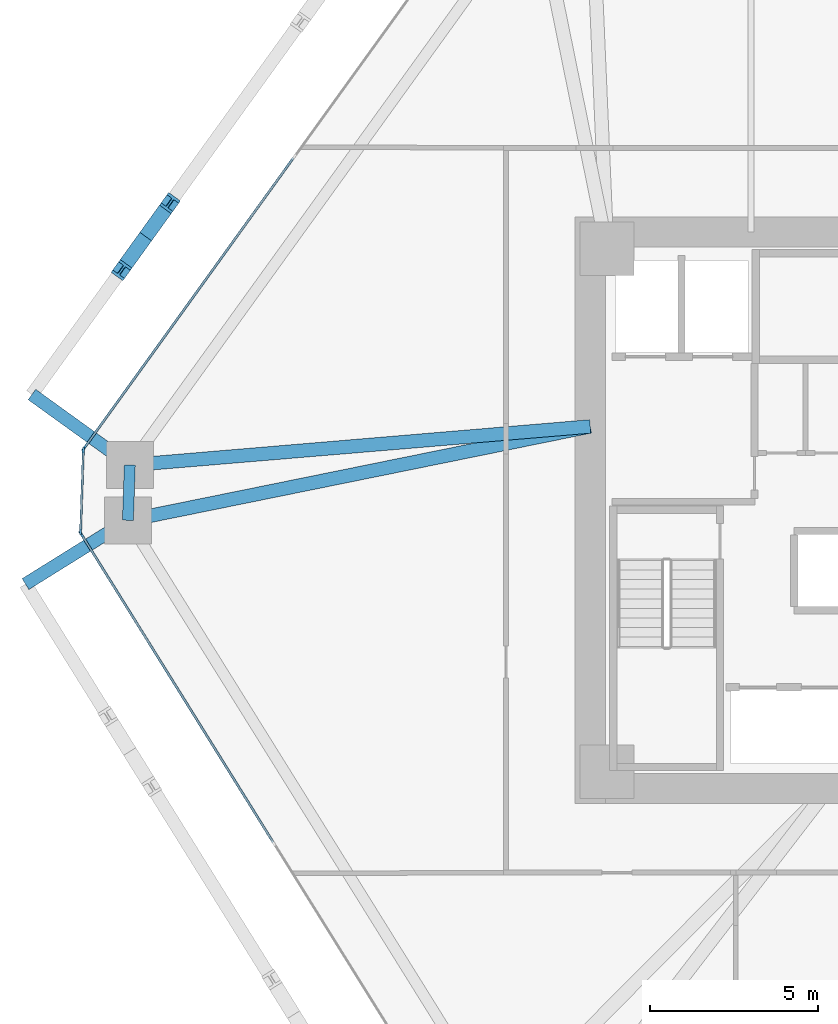
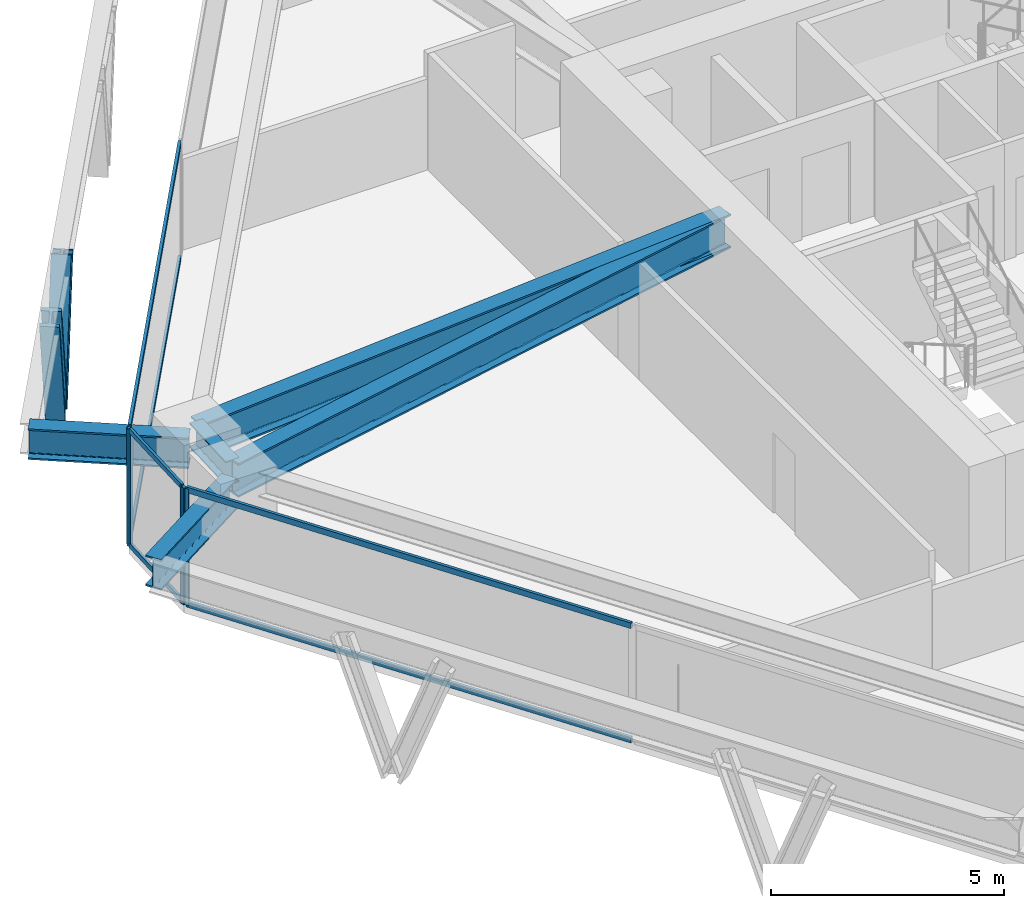
# One storey, part 4 of 14: 12 members, 5 beams, 3 elements without a shape of their own.
"""IFC4 building model written with IfcOpenShell, lengths in metres."""

from ifc_helpers import new_model, si_unit, direction, frame, origin, origin_2d, place, context, subcontext, project, spatial, rectangle, i_section, extrude, source, transform, mapped, material, layer, layer_set, material_profile, profile_set, type_object, type_shapes, element, aggregate, save


model = new_model("IFC4")

# Units and contexts
model_context = context("Model", 3, precision=1e-05, world=origin(), true_north=direction((0.0, 1.0)))
body_context = subcontext(model_context, "Body", "Model", "MODEL_VIEW")
ifc_project = project(units=[si_unit("LENGTHUNIT", "METRE"), si_unit("AREAUNIT", "SQUARE_METRE"), si_unit("VOLUMEUNIT", "CUBIC_METRE"), si_unit("PLANEANGLEUNIT", "RADIAN"), si_unit("MASSUNIT", "GRAM", prefix="KILO")], contexts=[model_context])

# Site, building, storey
site_placement = place(None, origin())
site = spatial("IfcSite", under=ifc_project, at=site_placement, CompositionType="ELEMENT")
building_placement = place(site_placement, origin())
building = spatial("IfcBuilding", under=site, at=building_placement, Name="Durnholm Broadcast Tower", CompositionType="ELEMENT")
storey_placement = place(building_placement, frame((0.0, 0.0, 68.699951171875)))
storey = spatial("IfcBuildingStorey", under=building, at=storey_placement, Name="L17", CompositionType="ELEMENT", Elevation=68.699951171875)

# Beams
ifc_material_1 = material(Name="Steel ASTM A992 Grade 50", Category="steel")
ifc_material_profile_1 = material_profile(ifc_material_1, i_section(OverallWidth=0.3291015625, OverallDepth=0.635009765625, WebThickness=0.017822265625, FlangeThickness=0.031005859375, FilletRadius=0.02783203125, at=origin_2d()), Name="W24X162")
ifc_profile_set_1 = profile_set([ifc_material_profile_1], Name="Steel ASTM A992 Grade 50")
beam_type_1 = type_object("IfcBeamType", Name="STL-SP-W24X162", PredefinedType="SPANDREL", material=ifc_profile_set_1)
shared_shape_1 = source(origin(), body_context, "Body", "SweptSolid", [
    extrude(i_section(OverallWidth=0.3291015625, OverallDepth=0.635009765625, WebThickness=0.017822265625, FlangeThickness=0.031005859375, FilletRadius=0.02783203125, at=origin_2d()), origin(), (0.0, 0.0, 1.0), 1.648193359375),
])
type_shapes(beam_type_1, [shared_shape_1])
beam_1_placement = place(storey_placement, frame((-24.0908203125, -0.2998046875, 2.7275390625), z_axis=(0.033921477804, 0.999424501072, 0.0), x_axis=(-0.999424501072, 0.033921477804, 0.0)))
element("IfcBeam", 1, at=beam_1_placement, inside=storey, type_object=beam_type_1, Name="L17 perimeter spandrel girder 02", PredefinedType="SPANDREL", context=body_context, shape_type="MappedRepresentation", body=[
    mapped(shared_shape_1, transform((0.0, 0.0, 0.0), x_axis=(1.0, 0.0, 0.0), y_axis=(0.0, 1.0, 0.0), z_axis=(0.0, 0.0, 1.0), scale=1.0)),
])
ifc_material_profile_2 = material_profile(ifc_material_1, i_section(OverallWidth=0.404052734375, OverallDepth=0.885009765625, WebThickness=0.0244140625, FlangeThickness=0.0439453125, FilletRadius=0.03564453125, at=origin_2d()), Name="W33X291")
ifc_profile_set_2 = profile_set([ifc_material_profile_2], Name="Steel ASTM A992 Grade 50")
beam_type_2 = type_object("IfcBeamType", Name="STL-GR-W33X291", PredefinedType="USERDEFINED", material=ifc_profile_set_2)
shared_shape_2 = source(origin(), body_context, "Body", "SweptSolid", [
    extrude(i_section(OverallWidth=0.404052734375, OverallDepth=0.885009765625, WebThickness=0.0244140625, FlangeThickness=0.0439453125, FilletRadius=0.03564453125, at=origin_2d()), origin(), (0.0, 0.0, 1.0), 14.072021484375),
])
beam_2_placement = place(storey_placement, frame((-10.300048828125, 2.5, 2.6025390625), z_axis=(-0.980007356767, -0.198961254225, 0.0), x_axis=(0.198961254225, -0.980007356767, 0.0)))
element("IfcBeam", 2, at=beam_2_placement, inside=storey, type_object=beam_type_2, Name="L17 radial primary floor girder 02", ObjectType="GIRDER", PredefinedType="USERDEFINED", context=body_context, shape_type="MappedRepresentation", body=[
    mapped(shared_shape_2, transform((0.0, 0.0, 0.0), x_axis=(1.0, 0.0, 0.0), y_axis=(0.0, 1.0, 0.0), z_axis=(0.0, 0.0, 1.0), scale=1.0)),
])
shared_shape_3 = source(origin(), body_context, "Body", "SweptSolid", [
    extrude(i_section(OverallWidth=0.404052734375, OverallDepth=0.885009765625, WebThickness=0.0244140625, FlangeThickness=0.0439453125, FilletRadius=0.03564453125, at=origin_2d()), origin(), (0.0, 0.0, 1.0), 13.783203125),
])
type_shapes(beam_type_2, [shared_shape_2, shared_shape_3])
beam_3_placement = place(storey_placement, frame((-10.300048828125, 2.5, 2.6025390625), z_axis=(-0.996497460403, -0.083623031579, 0.0), x_axis=(0.083623031579, -0.996497460403, 0.0)))
element("IfcBeam", 3, at=beam_3_placement, inside=storey, type_object=beam_type_2, Name="L17 radial primary floor girder 03", ObjectType="GIRDER", PredefinedType="USERDEFINED", context=body_context, shape_type="MappedRepresentation", body=[
    mapped(shared_shape_3, transform((0.0, 0.0, 0.0), x_axis=(1.0, 0.0, 0.0), y_axis=(0.0, 1.0, 0.0), z_axis=(0.0, 0.0, 1.0), scale=1.0)),
])
ifc_material_profile_3 = material_profile(ifc_material_1, i_section(OverallWidth=0.385009765625, OverallDepth=0.802978515625, WebThickness=0.023681640625, FlangeThickness=0.0419921875, FilletRadius=0.032958984375, at=origin_2d()), Name="W30X261")
ifc_profile_set_3 = profile_set([ifc_material_profile_3], Name="Steel ASTM A992 Grade 50")
beam_type_3 = type_object("IfcBeamType", Name="BM-EXO-TIE", PredefinedType="USERDEFINED", material=ifc_profile_set_3)
shared_shape_4 = source(origin(), body_context, "Body", "SweptSolid", [
    extrude(i_section(OverallWidth=0.385009765625, OverallDepth=0.802978515625, WebThickness=0.023681640625, FlangeThickness=0.0419921875, FilletRadius=0.032958984375, at=origin_2d()), origin(), (0.0, 0.0, 1.0), 3.4560546875),
])
beam_4_placement = place(storey_placement, frame((-24.212890625, -0.375732421875, 2.30859375), z_axis=(-0.848874183218, -0.528594949906, 0.0), x_axis=(0.528594949906, -0.848874183218, 0.0)))
element("IfcBeam", 4, at=beam_4_placement, inside=storey, type_object=beam_type_3, Name="L17 exoskeleton stand-off tie bracket F6.1", ObjectType="GIRDER", PredefinedType="USERDEFINED", context=body_context, shape_type="MappedRepresentation", body=[
    mapped(shared_shape_4, transform((0.0, 0.0, 0.0), x_axis=(1.0, 0.0, 0.0), y_axis=(0.0, 1.0, 0.0), z_axis=(0.0, 0.0, 1.0), scale=1.0)),
])
shared_shape_5 = source(origin(), body_context, "Body", "SweptSolid", [
    extrude(i_section(OverallWidth=0.385009765625, OverallDepth=0.802978515625, WebThickness=0.023681640625, FlangeThickness=0.0419921875, FilletRadius=0.032958984375, at=origin_2d()), origin(), (0.0, 0.0, 1.0), 3.455810546875),
])
type_shapes(beam_type_3, [shared_shape_4, shared_shape_5])
beam_5_placement = place(storey_placement, frame((-24.15185546875, 1.431396484375, 2.30859375), z_axis=(-0.811133512552, 0.584861030344, 0.0), x_axis=(-0.584861030344, -0.811133512552, 0.0)))
element("IfcBeam", 5, at=beam_5_placement, inside=storey, type_object=beam_type_3, Name="L17 exoskeleton stand-off tie bracket F5.2", ObjectType="GIRDER", PredefinedType="USERDEFINED", context=body_context, shape_type="MappedRepresentation", body=[
    mapped(shared_shape_5, transform((0.0, 0.0, 0.0), x_axis=(1.0, 0.0, 0.0), y_axis=(0.0, 1.0, 0.0), z_axis=(0.0, 0.0, 1.0), scale=1.0)),
])

# Members
ifc_material_2 = material(Name="Steel ASTM A913 Grade 65", Category="steel")
ifc_material_profile_4 = material_profile(ifc_material_2, i_section(OverallWidth=0.43212890625, OverallDepth=0.497802734375, WebThickness=0.0556640625, FlangeThickness=0.0888671875, FilletRadius=0.030517578125, at=origin_2d()), Name="W14X500")
ifc_profile_set_4 = profile_set([ifc_material_profile_4], Name="Steel ASTM A913 Grade 65")
member_type_1 = type_object("IfcMemberType", Name="STL-DG-W14X500", PredefinedType="BRACE", material=ifc_profile_set_4)
shared_shape_6 = source(origin(), body_context, "Body", "SweptSolid", [
    extrude(i_section(OverallWidth=0.43212890625, OverallDepth=0.497802734375, WebThickness=0.0556640625, FlangeThickness=0.0888671875, FilletRadius=0.030517578125, at=origin_2d()), origin(), (0.0, 0.0, 1.0), 3.523193359375),
])
type_shapes(member_type_1, [shared_shape_6])
for number, where, z_axis, x_axis, name in (
    (6, (-23.5595703125, 8.16259765625, -0.991455078125), (0.204839138341, 0.284044529113, 0.93667477434), (-0.81109123444, 0.58491966065, 0.0), "L17 stand-off diagrid brace F5.D2.1"),
    (7, (-23.5595703125, 8.16259765625, -0.991455078125), (-0.20477274847, -0.284048560399, 0.936688068046), (0.811185111535, -0.584789461963, 0.0), "L17 stand-off diagrid brace F5.D2.2"),
):
    element("IfcMember", number, at=place(storey_placement, frame(where, z_axis=z_axis, x_axis=x_axis)), inside=storey, type_object=member_type_1, Name=name, PredefinedType="BRACE", context=body_context, shape_type="MappedRepresentation", body=[
        mapped(shared_shape_6, transform((0.0, 0.0, 0.0), x_axis=(1.0, 0.0, 0.0), y_axis=(0.0, 1.0, 0.0), z_axis=(0.0, 0.0, 1.0), scale=1.0)),
    ])

# Curtain wall, members
ifc_material_3 = material(Name="Aluminium and Solar Control IGU", Category="aluminium")
ifc_layer_1 = layer(ifc_material_3, 0.1650390625)
ifc_layer_set_1 = layer_set([ifc_layer_1], Name="Aluminium and Solar Control IGU")
curtain_wall_type_1 = type_object("IfcCurtainWallType", Name="CW-SYS-5", PredefinedType="NOTDEFINED", material=ifc_layer_set_1)
curtain_wall_1_placement = place(storey_placement, origin())
curtain_wall_1 = element("IfcCurtainWall", 8, at=curtain_wall_1_placement, inside=storey, type_object=curtain_wall_type_1, Name="L17 curtain wall CW-CORNER CW-L17-CRN-01", PredefinedType="NOTDEFINED")
ifc_material_4 = material(Name="Aluminium 6063-T6", Category="aluminium")
ifc_material_profile_5 = material_profile(ifc_material_4, rectangle(XDim=0.06494140625, YDim=0.1650390625, at=origin_2d()), Name="CWM65X165")
ifc_profile_set_5 = profile_set([ifc_material_profile_5], Name="Aluminium 6063-T6")
member_type_2 = type_object("IfcMemberType", Name="CW-SYS-5-MUL", PredefinedType="MULLION", material=ifc_profile_set_5)
shared_shape_7 = source(origin(), body_context, "Body", "SweptSolid", [
    extrude(rectangle(XDim=0.06494140625, YDim=0.1650390625, at=origin_2d()), origin(), (0.0, 0.0, 1.0), 3.06005859375),
])
type_shapes(member_type_2, [shared_shape_7])
member_1_placement = place(storey_placement, frame((-25.50341796875, -0.6455078125, 0.0), z_axis=(0.0, 0.0, 1.0), x_axis=(-0.999427277772, 0.033839569233, 0.0)))
member_1 = element("IfcMember", 9, at=member_1_placement, type_object=member_type_2, Name="CW-CORNER mullion 1", PredefinedType="MULLION", context=body_context, shape_type="MappedRepresentation", body=[
    mapped(shared_shape_7, transform((0.0, 0.0, 0.0), x_axis=(1.0, 0.0, 0.0), y_axis=(0.0, 1.0, 0.0), z_axis=(0.0, 0.0, 1.0), scale=1.0)),
])
member_2_placement = place(storey_placement, frame((-25.4208984375, 1.7880859375, 0.0), z_axis=(0.0, 0.0, 1.0), x_axis=(-0.999427277772, 0.033839569233, 0.0)))
member_2 = element("IfcMember", 10, at=member_2_placement, type_object=member_type_2, Name="CW-CORNER mullion 2", PredefinedType="MULLION", context=body_context, shape_type="MappedRepresentation", body=[
    mapped(shared_shape_7, transform((0.0, 0.0, 0.0), x_axis=(1.0, 0.0, 0.0), y_axis=(0.0, 1.0, 0.0), z_axis=(0.0, 0.0, 1.0), scale=1.0)),
])
ifc_material_profile_6 = material_profile(ifc_material_4, rectangle(XDim=0.06494140625, YDim=0.1298828125, at=origin_2d()), Name="CWT65X130")
ifc_profile_set_6 = profile_set([ifc_material_profile_6], Name="Aluminium 6063-T6")
member_type_3 = type_object("IfcMemberType", Name="CW-SYS-5-TRN", PredefinedType="USERDEFINED", material=ifc_profile_set_6)
shared_shape_8 = source(origin(), body_context, "Body", "SweptSolid", [
    extrude(rectangle(XDim=0.06494140625, YDim=0.1298828125, at=origin_2d()), origin(), (0.0, 0.0, 1.0), 2.3701171875),
])
type_shapes(member_type_3, [shared_shape_8])
member_3_placement = place(storey_placement, frame((-25.502197265625, -0.613037109375, 0.032470703125), z_axis=(0.033788158898, 0.999429017148, 0.0), x_axis=(-0.999429017148, 0.033788158898, 0.0)))
member_3 = element("IfcMember", 11, at=member_3_placement, type_object=member_type_3, Name="CW-CORNER transom 1.1", ObjectType="TRANSOM", PredefinedType="USERDEFINED", context=body_context, shape_type="MappedRepresentation", body=[
    mapped(shared_shape_8, transform((0.0, 0.0, 0.0), x_axis=(1.0, 0.0, 0.0), y_axis=(0.0, 1.0, 0.0), z_axis=(0.0, 0.0, 1.0), scale=1.0)),
])
member_4_placement = place(storey_placement, frame((-25.502197265625, -0.613037109375, 3.027587890625), z_axis=(0.033788158898, 0.999429017148, 0.0), x_axis=(-0.999429017148, 0.033788158898, 0.0)))
member_4 = element("IfcMember", 12, at=member_4_placement, type_object=member_type_3, Name="CW-CORNER transom 1.2", ObjectType="TRANSOM", PredefinedType="USERDEFINED", context=body_context, shape_type="MappedRepresentation", body=[
    mapped(shared_shape_8, transform((0.0, 0.0, 0.0), x_axis=(1.0, 0.0, 0.0), y_axis=(0.0, 1.0, 0.0), z_axis=(0.0, 0.0, 1.0), scale=1.0)),
])
aggregate(curtain_wall_1, [member_1, member_2, member_3, member_4])

# Curtain wall, member
ifc_layer_2 = layer(ifc_material_3, 0.18994140625)
ifc_layer_set_2 = layer_set([ifc_layer_2], Name="Aluminium and Solar Control IGU")
curtain_wall_type_2 = type_object("IfcCurtainWallType", Name="CW-SYS-3", PredefinedType="NOTDEFINED", material=ifc_layer_set_2)
curtain_wall_2_placement = place(storey_placement, origin())
curtain_wall_2 = element("IfcCurtainWall", 13, at=curtain_wall_2_placement, inside=storey, type_object=curtain_wall_type_2, Name="L17 curtain wall CW-Z12-VIS CW-L17-F02", PredefinedType="NOTDEFINED")
ifc_material_profile_7 = material_profile(ifc_material_4, rectangle(XDim=0.070068359375, YDim=0.18994140625, at=origin_2d()), Name="CWM70X190")
ifc_profile_set_7 = profile_set([ifc_material_profile_7], Name="Aluminium 6063-T6")
member_type_4 = type_object("IfcMemberType", Name="CW-SYS-3-MUL", PredefinedType="MULLION", material=ifc_profile_set_7)
shared_shape_9 = source(origin(), body_context, "Body", "SweptSolid", [
    extrude(rectangle(XDim=0.070068359375, YDim=0.18994140625, at=origin_2d()), origin(), (0.0, 0.0, 1.0), 3.06005859375),
])
type_shapes(member_type_4, [shared_shape_9])
member_5_placement = place(storey_placement, frame((-25.3994140625, 1.848876953125, 0.0), z_axis=(0.0, 0.0, 1.0), x_axis=(-0.81116057493, 0.584823496176, 0.0)))
member_5 = element("IfcMember", 14, at=member_5_placement, type_object=member_type_4, Name="CW-Z12-VIS mullion 1", PredefinedType="MULLION", context=body_context, shape_type="MappedRepresentation", body=[
    mapped(shared_shape_9, transform((0.0, 0.0, 0.0), x_axis=(1.0, 0.0, 0.0), y_axis=(0.0, 1.0, 0.0), z_axis=(0.0, 0.0, 1.0), scale=1.0)),
])

curtain_wall_3_placement = place(storey_placement, origin())
curtain_wall_3 = element("IfcCurtainWall", 15, at=curtain_wall_3_placement, inside=storey, type_object=curtain_wall_type_2, Name="L17 curtain wall CW-Z12-VIS CW-L17-F12", PredefinedType="NOTDEFINED")
member_6_placement = place(storey_placement, frame((-25.48583984375, -0.707763671875, 0.0), z_axis=(0.0, 0.0, 1.0), x_axis=(-0.848875785503, -0.528592376777, 0.0)))
member_6 = element("IfcMember", 16, at=member_6_placement, type_object=member_type_4, Name="CW-Z12-VIS mullion 3", PredefinedType="MULLION", context=body_context, shape_type="MappedRepresentation", body=[
    mapped(shared_shape_9, transform((0.0, 0.0, 0.0), x_axis=(1.0, 0.0, 0.0), y_axis=(0.0, 1.0, 0.0), z_axis=(0.0, 0.0, 1.0), scale=1.0)),
])

# Member
ifc_material_profile_8 = material_profile(ifc_material_4, rectangle(XDim=0.070068359375, YDim=0.14990234375, at=origin_2d()), Name="CWT70X150")
ifc_profile_set_8 = profile_set([ifc_material_profile_8], Name="Aluminium 6063-T6")
member_type_5 = type_object("IfcMemberType", Name="CW-SYS-3-TRN", PredefinedType="USERDEFINED", material=ifc_profile_set_8)
shared_shape_10 = source(origin(), body_context, "Body", "SweptSolid", [
    extrude(rectangle(XDim=0.070068359375, YDim=0.14990234375, at=origin_2d()), origin(), (0.0, 0.0, 1.0), 10.6455078125),
])
member_7_placement = place(storey_placement, frame((-25.37890625, 1.877197265625, 0.03515625), z_axis=(0.584812103659, 0.811168788486, 0.0), x_axis=(-0.811168788486, 0.584812103659, 0.0)))
member_7 = element("IfcMember", 17, at=member_7_placement, type_object=member_type_5, Name="CW-Z12-VIS transom 1.1", ObjectType="TRANSOM", PredefinedType="USERDEFINED", context=body_context, shape_type="MappedRepresentation", body=[
    mapped(shared_shape_10, transform((0.0, 0.0, 0.0), x_axis=(1.0, 0.0, 0.0), y_axis=(0.0, 1.0, 0.0), z_axis=(0.0, 0.0, 1.0), scale=1.0)),
])

member_8_placement = place(storey_placement, frame((-25.37890625, 1.877197265625, 3.025146484375), z_axis=(0.584812103659, 0.811168788486, 0.0), x_axis=(-0.811168788486, 0.584812103659, 0.0)))
member_8 = element("IfcMember", 18, at=member_8_placement, type_object=member_type_5, Name="CW-Z12-VIS transom 1.2", ObjectType="TRANSOM", PredefinedType="USERDEFINED", context=body_context, shape_type="MappedRepresentation", body=[
    mapped(shared_shape_10, transform((0.0, 0.0, 0.0), x_axis=(1.0, 0.0, 0.0), y_axis=(0.0, 1.0, 0.0), z_axis=(0.0, 0.0, 1.0), scale=1.0)),
])

aggregate(curtain_wall_2, [member_5, member_7, member_8])

shared_shape_11 = source(origin(), body_context, "Body", "SweptSolid", [
    extrude(rectangle(XDim=0.070068359375, YDim=0.14990234375, at=origin_2d()), origin(), (0.0, 0.0, 1.0), 10.796630859375),
])
type_shapes(member_type_5, [shared_shape_10, shared_shape_11])
member_9_placement = place(storey_placement, frame((-19.760498046875, -9.902587890625, 0.03515625), z_axis=(-0.528575362968, 0.848886379714, 0.0), x_axis=(-0.848886379714, -0.528575362968, 0.0)))
member_9 = element("IfcMember", 19, at=member_9_placement, type_object=member_type_5, Name="CW-Z12-VIS transom 2.1", ObjectType="TRANSOM", PredefinedType="USERDEFINED", context=body_context, shape_type="MappedRepresentation", body=[
    mapped(shared_shape_11, transform((0.0, 0.0, 0.0), x_axis=(1.0, 0.0, 0.0), y_axis=(0.0, 1.0, 0.0), z_axis=(0.0, 0.0, 1.0), scale=1.0)),
])

member_10_placement = place(storey_placement, frame((-19.760498046875, -9.902587890625, 3.025146484375), z_axis=(-0.528575362968, 0.848886379714, 0.0), x_axis=(-0.848886379714, -0.528575362968, 0.0)))
member_10 = element("IfcMember", 20, at=member_10_placement, type_object=member_type_5, Name="CW-Z12-VIS transom 2.2", ObjectType="TRANSOM", PredefinedType="USERDEFINED", context=body_context, shape_type="MappedRepresentation", body=[
    mapped(shared_shape_11, transform((0.0, 0.0, 0.0), x_axis=(1.0, 0.0, 0.0), y_axis=(0.0, 1.0, 0.0), z_axis=(0.0, 0.0, 1.0), scale=1.0)),
])

aggregate(curtain_wall_3, [member_6, member_9, member_10])

save(model, "model.ifc")
